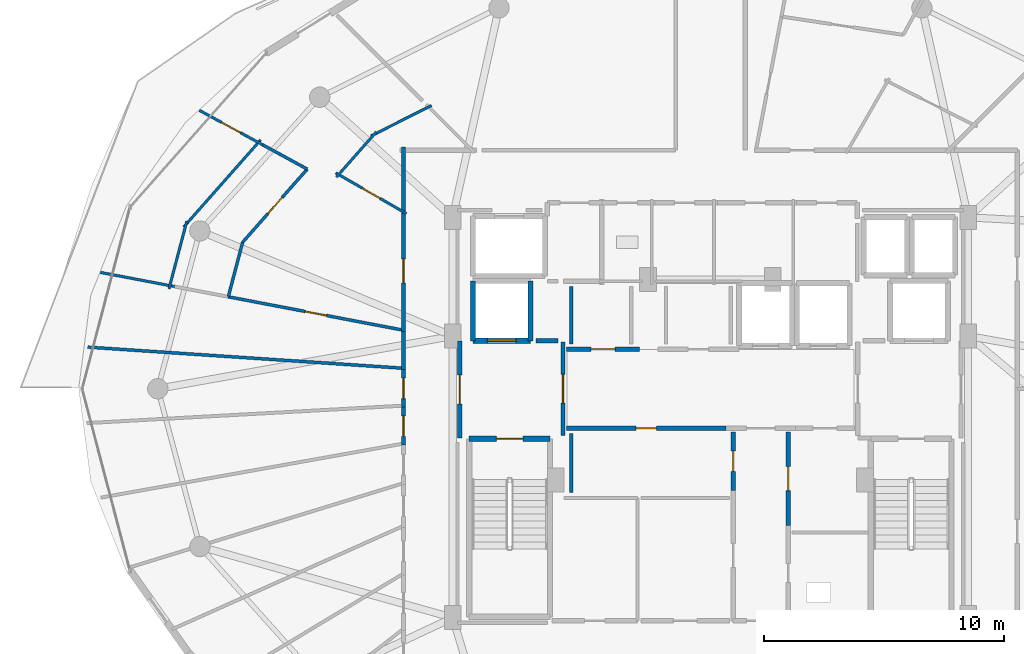
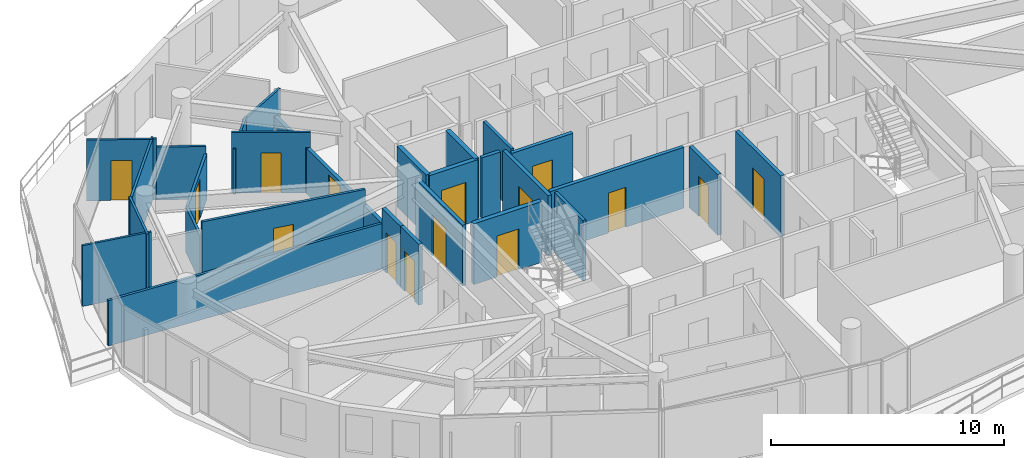
# One storey, part 18 of 25: 30 walls, 15 doors, 15 openings.
"""IFC4 building model written with IfcOpenShell, lengths in metres."""

from ifc_helpers import new_model, si_unit, direction, frame, frame_2d, origin, place, context, subcontext, project, spatial, rectangle, extrude, material, layer, layer_set, type_object, element, fill, save


model = new_model("IFC4")

# Units and contexts
model_context = context("Model", 3, precision=1e-05, world=origin(), true_north=direction((0.0, 1.0)))
body_context = subcontext(model_context, "Body", "Model", "MODEL_VIEW")
ifc_project = project(units=[si_unit("LENGTHUNIT", "METRE"), si_unit("AREAUNIT", "SQUARE_METRE"), si_unit("VOLUMEUNIT", "CUBIC_METRE"), si_unit("PLANEANGLEUNIT", "RADIAN"), si_unit("MASSUNIT", "GRAM", prefix="KILO")], contexts=[model_context])

# Site, building, storey
site_placement = place(None, origin())
site = spatial("IfcSite", under=ifc_project, at=site_placement, CompositionType="ELEMENT")
building_placement = place(site_placement, origin())
building = spatial("IfcBuilding", under=site, at=building_placement, Name="Vorneva Point Tower", CompositionType="ELEMENT")
storey_placement = place(building_placement, frame((0.0, 0.0, 276.85009765625)))
storey = spatial("IfcBuildingStorey", under=building, at=storey_placement, Name="L75", CompositionType="ELEMENT", Elevation=276.85009765625)

# Wall, opening, door
ifc_material_1 = material(Name="Concrete B60 (C50/60)", Category="concrete")
ifc_layer_1 = layer(ifc_material_1, 0.35009765625)
ifc_layer_set_1 = layer_set([ifc_layer_1], Name="Concrete B60 (C50/60)")
wall_type_1 = type_object("IfcWallType", Name="WL-CORE-350", PredefinedType="SHEAR", material=ifc_layer_set_1)
wall_1_placement = place(storey_placement, frame((28.10009765625, 28.0, 0.0), z_axis=(0.0, 0.0, 1.0), x_axis=(1.0, 0.0, 0.0)))
wall_1 = element("IfcWall", 1, at=wall_1_placement, inside=storey, type_object=wall_type_1, Name="L75 Lift FFL1 Shaft Wall -Y", PredefinedType="SHEAR", context=body_context, shape_type="SweptSolid", body=[
    extrude(rectangle(XDim=2.39990234375, YDim=0.219970703125, at=frame_2d((1.199951171875, 0.0))), origin(), (0.0, 0.0, 1.0), 3.18994140625),
])
opening_1_placement = place(wall_1_placement, frame((0.60009765625, 0.0, 0.0)))
opening_1 = element("IfcOpeningElement", 2, at=opening_1_placement, cuts=wall_1, Name="Opening LD-02", PredefinedType="OPENING", context=body_context, shape_type="SweptSolid", body=[
    extrude(rectangle(XDim=1.199951171875, YDim=2.199951171875, at=frame_2d((0.60009765625, 1.10009765625))), frame((0.0, 0.125, 0.0), z_axis=(0.0, -1.0, 0.0), x_axis=(1.0, 0.0, 0.0)), (0.0, 0.0, 1.0), 0.249755859375),
])
ifc_material_2 = material(Name="Brushed stainless steel S304", Category="steel")
door_type_1 = type_object("IfcDoorType", Name="LD-FIRE-1200", OperationType="SLIDING_TO_LEFT", PredefinedType="DOOR", material=ifc_material_2)
door_1_placement = place(opening_1_placement, origin())
door_1 = element("IfcDoor", 3, at=door_1_placement, inside=storey, type_object=door_type_1, Name="L75 Lift FFL1 Sliding Landing Door", OperationType="SLIDING_TO_LEFT", OverallHeight=2.199951171875, OverallWidth=1.199951171875, PredefinedType="DOOR", context=body_context, shape_type="SweptSolid", body=[
    extrude(rectangle(XDim=1.199951171875, YDim=2.199951171875, at=frame_2d((0.60009765625, 1.10009765625))), frame((0.0, 0.02490234375, 0.0), z_axis=(0.0, -1.0, 0.0), x_axis=(1.0, 0.0, 0.0)), (0.0, 0.0, 1.0), 0.050048828125),
])
fill(opening_1, door_1)

# Walls
for number, where, z_axis, x_axis, name in (
    (4, (30.5, 28.0, 0.0), (0.0, 0.0, 1.0), (0.0, 1.0, 0.0), "L75 Lift FFL1 Shaft Wall +X"),
    (5, (28.10009765625, 30.5, 0.0), (0.0, 0.0, 1.0), (0.0, -1.0, 0.0), "L75 Lift FFL1 Shaft Wall -X"),
):
    element("IfcWall", number, at=place(storey_placement, frame(where, z_axis=z_axis, x_axis=x_axis)), inside=storey, type_object=wall_type_1, Name=name, PredefinedType="SHEAR", context=body_context, shape_type="SweptSolid", body=[
        extrude(rectangle(XDim=2.5, YDim=0.219970703125, at=frame_2d((1.25, 0.0))), origin(), (0.0, 0.0, 1.0), 3.18994140625),
    ])

# Wall, opening, door
ifc_material_3 = material(Name="Fire-rated acoustic gypsum stud partition", Category="gypsum")
ifc_layer_2 = layer(ifc_material_3, 0.110107421875)
ifc_layer_set_2 = layer_set([ifc_layer_2], Name="Fire-rated acoustic gypsum stud partition")
wall_type_2 = type_object("IfcWallType", Name="WL-PART-110", PredefinedType="PARTITIONING", material=ifc_layer_set_2)
wall_2_placement = place(storey_placement, frame((25.3212890625, 33.30615234375, 0.0), z_axis=(0.0, 0.0, 1.0), x_axis=(-0.866517217622, 0.49914718427, 0.0)))
wall_2 = element("IfcWall", 6, at=wall_2_placement, inside=storey, type_object=wall_type_2, Name="L75 Interior Partition 075", PredefinedType="PARTITIONING", context=body_context, shape_type="SweptSolid", body=[
    extrude(rectangle(XDim=3.4052734375, YDim=0.110107421875, at=frame_2d((1.70263671875, 0.0))), origin(), (0.0, 0.0, 1.0), 3.18994140625),
])
opening_2_placement = place(wall_2_placement, frame((1.277587890625, 0.0, 0.0)))
opening_2 = element("IfcOpeningElement", 7, at=opening_2_placement, cuts=wall_2, Name="Opening ID-02", PredefinedType="OPENING", context=body_context, shape_type="SweptSolid", body=[
    extrude(rectangle(XDim=0.85009765625, YDim=2.10009765625, at=frame_2d((0.425048828125, 1.050048828125))), frame((0.0, 0.06982421875, 0.0), z_axis=(0.0, -1.0, 0.0), x_axis=(1.0, 0.0, 0.0)), (0.0, 0.0, 1.0), 0.139892578125),
])
ifc_material_4 = material(Name="Engineered oak fire-rated door leaf", Category="wood")
door_type_2 = type_object("IfcDoorType", Name="DR-BATH-850", OperationType="NOTDEFINED", PredefinedType="DOOR", material=ifc_material_4)
door_2_placement = place(opening_2_placement, origin())
door_2 = element("IfcDoor", 8, at=door_2_placement, inside=storey, type_object=door_type_2, Name="L75 Door Living and Dining Room L75-02 / Bathroom L75-02", OperationType="SINGLE_SWING_LEFT", OverallHeight=2.10009765625, OverallWidth=0.85009765625, PredefinedType="DOOR", context=body_context, shape_type="SweptSolid", body=[
    extrude(rectangle(XDim=0.85009765625, YDim=2.10009765625, at=frame_2d((0.425048828125, 1.050048828125))), frame((0.0, 0.02490234375, 0.0), z_axis=(0.0, -1.0, 0.0), x_axis=(1.0, 0.0, 0.0)), (0.0, 0.0, 1.0), 0.050048828125),
])
fill(opening_2, door_2)

# Walls
wall_3_placement = place(storey_placement, frame((22.3994140625, 34.8310546875, 0.0), z_axis=(0.0, 0.0, 1.0), x_axis=(0.662292938072, 0.749244996099, 0.0)))
element("IfcWall", 9, at=wall_3_placement, inside=storey, type_object=wall_type_2, Name="L75 Interior Partition 076", PredefinedType="PARTITIONING", context=body_context, shape_type="SweptSolid", body=[
    extrude(rectangle(XDim=2.512939453125, YDim=0.110107421875, at=frame_2d((1.25634765625, 0.0))), origin(), (0.0, 0.0, 1.0), 2.3818359375),
])
wall_4_placement = place(storey_placement, frame((23.845947265625, 36.5458984375, 0.0), z_axis=(0.0, 0.0, 1.0), x_axis=(0.892553076465, 0.450942352959, 0.0)))
element("IfcWall", 10, at=wall_4_placement, inside=storey, type_object=wall_type_2, Name="L75 Interior Partition 077", PredefinedType="PARTITIONING", context=body_context, shape_type="SweptSolid", body=[
    extrude(rectangle(XDim=2.82568359375, YDim=0.110107421875, at=frame_2d((1.412841796875, 0.0))), origin(), (0.0, 0.0, 1.0), 2.3818359375),
])
wall_5_placement = place(storey_placement, frame((15.6474609375, 30.264892578125, 0.0), z_axis=(0.0, 0.0, 1.0), x_axis=(-0.982326348308, 0.187176241599, 0.0)))
element("IfcWall", 11, at=wall_5_placement, inside=storey, type_object=wall_type_2, Name="L75 Interior Partition 079", PredefinedType="PARTITIONING", context=body_context, shape_type="SweptSolid", body=[
    extrude(rectangle(XDim=3.148681640625, YDim=0.110107421875, at=frame_2d((1.57421875, 0.0))), origin(), (0.0, 0.0, 1.0), 3.18994140625),
])

# Wall, opening, door
wall_6_placement = place(storey_placement, frame((16.68408203125, 37.614013671875, 0.0), z_axis=(0.0, 0.0, 1.0), x_axis=(0.878218537438, -0.478259553486, 0.0)))
wall_6 = element("IfcWall", 12, at=wall_6_placement, inside=storey, type_object=wall_type_2, Name="L75 Interior Partition 080", PredefinedType="PARTITIONING", context=body_context, shape_type="SweptSolid", body=[
    extrude(rectangle(XDim=3.002685546875, YDim=0.110107421875, at=frame_2d((1.50146484375, 0.0))), origin(), (0.0, 0.0, 1.0), 3.18994140625),
])
opening_3_placement = place(wall_6_placement, frame((1.05126953125, 0.0, 0.0)))
opening_3 = element("IfcOpeningElement", 13, at=opening_3_placement, cuts=wall_6, Name="Opening ID-01", PredefinedType="OPENING", context=body_context, shape_type="SweptSolid", body=[
    extrude(rectangle(XDim=0.89990234375, YDim=2.10009765625, at=frame_2d((0.449951171875, 1.050048828125))), frame((0.0, 0.06982421875, 0.0), z_axis=(0.0, -1.0, 0.0), x_axis=(1.0, 0.0, 0.0)), (0.0, 0.0, 1.0), 0.139892578125),
])
door_type_3 = type_object("IfcDoorType", Name="DR-ROOM-900", OperationType="NOTDEFINED", PredefinedType="DOOR", material=ifc_material_4)
door_3_placement = place(opening_3_placement, origin())
door_3 = element("IfcDoor", 14, at=door_3_placement, inside=storey, type_object=door_type_3, Name="L75 Door Living and Dining Room L75-02 / Kitchen L75-02", OperationType="SINGLE_SWING_LEFT", OverallHeight=2.10009765625, OverallWidth=0.89990234375, PredefinedType="DOOR", context=body_context, shape_type="SweptSolid", body=[
    extrude(rectangle(XDim=0.89990234375, YDim=2.10009765625, at=frame_2d((0.449951171875, 1.050048828125))), frame((0.0, 0.02490234375, 0.0), z_axis=(0.0, -1.0, 0.0), x_axis=(1.0, 0.0, 0.0)), (0.0, 0.0, 1.0), 0.050048828125),
])
fill(opening_3, door_3)

# Walls
wall_7_placement = place(storey_placement, frame((15.415283203125, 30.16650390625, 0.0), z_axis=(0.0, 0.0, 1.0), x_axis=(0.254760975284, 0.967004056596, 0.0)))
element("IfcWall", 15, at=wall_7_placement, inside=storey, type_object=wall_type_2, Name="L75 Interior Partition 086", PredefinedType="PARTITIONING", context=body_context, shape_type="SweptSolid", body=[
    extrude(rectangle(XDim=2.91796875, YDim=0.110107421875, at=frame_2d((1.458984375, 0.0))), origin(), (0.0, 0.0, 1.0), 3.18994140625),
])
wall_8_placement = place(storey_placement, frame((16.0302734375, 32.748046875, 0.0), z_axis=(0.0, 0.0, 1.0), x_axis=(0.662164889187, 0.749358165051, 0.0)))
element("IfcWall", 16, at=wall_8_placement, inside=storey, type_object=wall_type_2, Name="L75 Interior Partition 087", PredefinedType="PARTITIONING", context=body_context, shape_type="SweptSolid", body=[
    extrude(rectangle(XDim=4.843994140625, YDim=0.110107421875, at=frame_2d((2.421875, 0.0))), origin(), (0.0, 0.0, 1.0), 3.18994140625),
])

# Wall, opening, door
ifc_layer_3 = layer(ifc_material_3, 0.125)
ifc_layer_set_3 = layer_set([ifc_layer_3], Name="Fire-rated acoustic gypsum stud partition")
wall_type_3 = type_object("IfcWallType", Name="WL-PART-125", PredefinedType="PARTITIONING", material=ifc_layer_set_3)
wall_9_placement = place(storey_placement, frame((21.18310546875, 35.1630859375, 0.0), z_axis=(0.0, 0.0, 1.0), x_axis=(-0.662034108956, -0.74947370773, 0.0)))
wall_9 = element("IfcWall", 17, at=wall_9_placement, inside=storey, type_object=wall_type_3, Name="L75 Interior Partition 081", PredefinedType="PARTITIONING", context=body_context, shape_type="SweptSolid", body=[
    extrude(rectangle(XDim=4.07080078125, YDim=0.125, at=frame_2d((2.035400390625, 0.0))), origin(), (0.0, 0.0, 1.0), 2.3818359375),
])
opening_4_placement = place(wall_9_placement, frame((1.58544921875, 0.0, 0.0)))
opening_4 = element("IfcOpeningElement", 18, at=opening_4_placement, cuts=wall_9, Name="Opening ID-01", PredefinedType="OPENING", context=body_context, shape_type="SweptSolid", body=[
    extrude(rectangle(XDim=0.89990234375, YDim=2.10009765625, at=frame_2d((0.449951171875, 1.050048828125))), frame((0.0, 0.077392578125, 0.0), z_axis=(0.0, -1.0, 0.0), x_axis=(1.0, 0.0, 0.0)), (0.0, 0.0, 1.0), 0.15478515625),
])
door_4_placement = place(opening_4_placement, origin())
door_4 = element("IfcDoor", 19, at=door_4_placement, inside=storey, type_object=door_type_3, Name="L75 Door Living and Dining Room L75-02 / Study Room L75-02", OperationType="SINGLE_SWING_RIGHT", OverallHeight=2.10009765625, OverallWidth=0.89990234375, PredefinedType="DOOR", context=body_context, shape_type="SweptSolid", body=[
    extrude(rectangle(XDim=0.89990234375, YDim=2.10009765625, at=frame_2d((0.449951171875, 1.050048828125))), frame((0.0, 0.02490234375, 0.0), z_axis=(0.0, -1.0, 0.0), x_axis=(1.0, 0.0, 0.0)), (0.0, 0.0, 1.0), 0.050048828125),
])
fill(opening_4, door_4)

# Walls
wall_10_placement = place(storey_placement, frame((18.488037109375, 32.112060546875, 0.0), z_axis=(0.0, 0.0, 1.0), x_axis=(-0.254651639247, -0.967032854989, 0.0)))
element("IfcWall", 20, at=wall_10_placement, inside=storey, type_object=wall_type_3, Name="L75 Interior Partition 082", PredefinedType="PARTITIONING", context=body_context, shape_type="SweptSolid", body=[
    extrude(rectangle(XDim=2.352783203125, YDim=0.125, at=frame_2d((1.17626953125, 0.0))), origin(), (0.0, 0.0, 1.0), 2.3818359375),
])
wall_11_placement = place(storey_placement, frame((19.32080078125, 36.177490234375, 0.0), z_axis=(0.0, 0.0, 1.0), x_axis=(0.878172605495, -0.47834388776, 0.0)))
element("IfcWall", 21, at=wall_11_placement, inside=storey, type_object=wall_type_3, Name="L75 Interior Partition 084", PredefinedType="PARTITIONING", context=body_context, shape_type="SweptSolid", body=[
    extrude(rectangle(XDim=2.12060546875, YDim=0.125, at=frame_2d((1.060302734375, 0.0))), origin(), (0.0, 0.0, 1.0), 2.77392578125),
])

# Wall, opening, door
wall_12_placement = place(storey_placement, frame((17.888916015625, 29.836669921875, 0.0), z_axis=(0.0, 0.0, 1.0), x_axis=(0.982284262094, -0.187396980877, 0.0)))
wall_12 = element("IfcWall", 22, at=wall_12_placement, inside=storey, type_object=wall_type_3, Name="L75 Interior Partition 085", PredefinedType="PARTITIONING", context=body_context, shape_type="SweptSolid", body=[
    extrude(rectangle(XDim=7.44287109375, YDim=0.125, at=frame_2d((3.721435546875, 0.0))), origin(), (0.0, 0.0, 1.0), 3.18994140625),
])
opening_5_placement = place(wall_12_placement, frame((3.271484375, 0.0, 0.0)))
opening_5 = element("IfcOpeningElement", 23, at=opening_5_placement, cuts=wall_12, Name="Opening ID-01", PredefinedType="OPENING", context=body_context, shape_type="SweptSolid", body=[
    extrude(rectangle(XDim=0.89990234375, YDim=2.10009765625, at=frame_2d((0.449951171875, 1.050048828125))), frame((0.0, 0.077392578125, 0.0), z_axis=(0.0, -1.0, 0.0), x_axis=(1.0, 0.0, 0.0)), (0.0, 0.0, 1.0), 0.15478515625),
])
door_5_placement = place(opening_5_placement, origin())
door_5 = element("IfcDoor", 24, at=door_5_placement, inside=storey, type_object=door_type_3, Name="L75 Door Living and Dining Room L75-02 / Master Bedroom L75-02.1", OperationType="SINGLE_SWING_LEFT", OverallHeight=2.10009765625, OverallWidth=0.89990234375, PredefinedType="DOOR", context=body_context, shape_type="SweptSolid", body=[
    extrude(rectangle(XDim=0.89990234375, YDim=2.10009765625, at=frame_2d((0.449951171875, 1.050048828125))), frame((0.0, 0.02490234375, 0.0), z_axis=(0.0, -1.0, 0.0), x_axis=(1.0, 0.0, 0.0)), (0.0, 0.0, 1.0), 0.050048828125),
])
fill(opening_5, door_5)

# Walls
wall_13_placement = place(storey_placement, frame((12.027099609375, 27.737060546875, 0.0), z_axis=(0.0, 0.0, 1.0), x_axis=(0.997770487114, -0.066738707243, 0.0)))
element("IfcWall", 25, at=wall_13_placement, inside=storey, type_object=wall_type_3, Name="L75 Interior Partition 088", PredefinedType="PARTITIONING", context=body_context, shape_type="SweptSolid", body=[
    extrude(rectangle(XDim=13.202392578125, YDim=0.125, at=frame_2d((6.60107421875, 0.0))), origin(), (0.0, 0.0, 1.0), 2.3818359375),
])
ifc_layer_4 = layer(ifc_material_3, 0.139892578125)
ifc_layer_set_4 = layer_set([ifc_layer_4], Name="Fire-rated acoustic gypsum stud partition")
wall_type_4 = type_object("IfcWallType", Name="WL-PART-140", PredefinedType="PARTITIONING", material=ifc_layer_set_4)
wall_14_placement = place(storey_placement, frame((32.199951171875, 30.260009765625, 0.0), z_axis=(0.0, 0.0, 1.0), x_axis=(0.0, -1.0, 0.0)))
element("IfcWall", 26, at=wall_14_placement, inside=storey, type_object=wall_type_4, Name="L75 Interior Closure Partition 113", PredefinedType="PARTITIONING", context=body_context, shape_type="SweptSolid", body=[
    extrude(rectangle(XDim=2.389892578125, YDim=0.139892578125, at=frame_2d((1.19482421875, 0.0))), origin(), (0.0, 0.0, 1.0), 3.18994140625),
])
wall_15_placement = place(storey_placement, frame((32.199951171875, 24.1298828125, 0.0), z_axis=(0.0, 0.0, 1.0), x_axis=(0.0, -1.0, 0.0)))
element("IfcWall", 27, at=wall_15_placement, inside=storey, type_object=wall_type_4, Name="L75 Interior Closure Partition 117", PredefinedType="PARTITIONING", context=body_context, shape_type="SweptSolid", body=[
    extrude(rectangle(XDim=2.4599609375, YDim=0.139892578125, at=frame_2d((1.22998046875, 0.0))), origin(), (0.0, 0.0, 1.0), 3.18994140625),
])

# Wall, opening, door
ifc_material_5 = material(Name="Autoclaved aerated concrete blockwork", Category="masonry")
ifc_layer_5 = layer(ifc_material_5, 0.179931640625)
ifc_layer_set_5 = layer_set([ifc_layer_5], Name="Autoclaved aerated concrete blockwork")
wall_type_5 = type_object("IfcWallType", Name="WL-PART-180", PredefinedType="PARTITIONING", material=ifc_layer_set_5)
wall_16_placement = place(storey_placement, frame((31.85009765625, 24.044921875, 0.0), z_axis=(0.0, 0.0, 1.0), x_axis=(0.0, 1.0, 0.0)))
wall_16 = element("IfcWall", 28, at=wall_16_placement, inside=storey, type_object=wall_type_5, Name="L75 Interior Partition 001", PredefinedType="PARTITIONING", context=body_context, shape_type="SweptSolid", body=[
    extrude(rectangle(XDim=3.91015625, YDim=0.179931640625, at=frame_2d((1.955078125, 0.0))), origin(), (0.0, 0.0, 1.0), 3.18994140625),
])
opening_6_placement = place(wall_16_placement, frame((1.35498046875, 0.0, 0.0)))
opening_6 = element("IfcOpeningElement", 29, at=opening_6_placement, cuts=wall_16, Name="Opening FD-02", PredefinedType="OPENING", context=body_context, shape_type="SweptSolid", body=[
    extrude(rectangle(XDim=1.199951171875, YDim=2.14990234375, at=frame_2d((0.60009765625, 1.074951171875))), frame((0.0, 0.10498046875, 0.0), z_axis=(0.0, -1.0, 0.0), x_axis=(1.0, 0.0, 0.0)), (0.0, 0.0, 1.0), 0.209716796875),
])
ifc_material_6 = material(Name="Fire-rated powder-coated steel", Category="steel")
door_type_4 = type_object("IfcDoorType", Name="DR-FFL-1200", OperationType="NOTDEFINED", PredefinedType="DOOR", material=ifc_material_6)
door_6_placement = place(opening_6_placement, origin())
door_6 = element("IfcDoor", 30, at=door_6_placement, inside=storey, type_object=door_type_4, Name="L75 Door West Firefighting Lobby / Central Lift Lobby", OperationType="SINGLE_SWING_RIGHT", OverallHeight=2.14990234375, OverallWidth=1.199951171875, PredefinedType="DOOR", context=body_context, shape_type="SweptSolid", body=[
    extrude(rectangle(XDim=1.199951171875, YDim=2.14990234375, at=frame_2d((0.60009765625, 1.074951171875))), frame((0.0, 0.02490234375, 0.0), z_axis=(0.0, -1.0, 0.0), x_axis=(1.0, 0.0, 0.0)), (0.0, 0.0, 1.0), 0.050048828125),
])
fill(opening_6, door_6)

wall_17_placement = place(storey_placement, frame((27.550048828125, 28.0, 0.0), z_axis=(0.0, 0.0, 1.0), x_axis=(0.0, -1.0, 0.0)))
wall_17 = element("IfcWall", 31, at=wall_17_placement, inside=storey, type_object=wall_type_5, Name="L75 Interior Partition 002", PredefinedType="PARTITIONING", context=body_context, shape_type="SweptSolid", body=[
    extrude(rectangle(XDim=4.050048828125, YDim=0.179931640625, at=frame_2d((2.02490234375, 0.0))), origin(), (0.0, 0.0, 1.0), 3.18994140625),
])
opening_7_placement = place(wall_17_placement, frame((1.425048828125, 0.0, 0.0)))
opening_7 = element("IfcOpeningElement", 32, at=opening_7_placement, cuts=wall_17, Name="Opening FD-02", PredefinedType="OPENING", context=body_context, shape_type="SweptSolid", body=[
    extrude(rectangle(XDim=1.199951171875, YDim=2.14990234375, at=frame_2d((0.60009765625, 1.074951171875))), frame((0.0, 0.10498046875, 0.0), z_axis=(0.0, -1.0, 0.0), x_axis=(1.0, 0.0, 0.0)), (0.0, 0.0, 1.0), 0.209716796875),
])
door_7_placement = place(opening_7_placement, origin())
door_7 = element("IfcDoor", 33, at=door_7_placement, inside=storey, type_object=door_type_4, Name="L75 Door West Firefighting Lobby / L75 Circulation Corridor", OperationType="SINGLE_SWING_RIGHT", OverallHeight=2.14990234375, OverallWidth=1.199951171875, PredefinedType="DOOR", context=body_context, shape_type="SweptSolid", body=[
    extrude(rectangle(XDim=1.199951171875, YDim=2.14990234375, at=frame_2d((0.60009765625, 1.074951171875))), frame((0.0, 0.02490234375, 0.0), z_axis=(0.0, -1.0, 0.0), x_axis=(1.0, 0.0, 0.0)), (0.0, 0.0, 1.0), 0.050048828125),
])
fill(opening_7, door_7)

wall_18_placement = place(storey_placement, frame((35.0400390625, 27.64990234375, 0.0), z_axis=(0.0, 0.0, 1.0), x_axis=(-1.0, 0.0, 0.0)))
wall_18 = element("IfcWall", 34, at=wall_18_placement, inside=storey, type_object=wall_type_5, Name="L75 Interior Partition 012", PredefinedType="PARTITIONING", context=body_context, shape_type="SweptSolid", body=[
    extrude(rectangle(XDim=3.0400390625, YDim=0.179931640625, at=frame_2d((1.52001953125, 0.0))), origin(), (0.0, 0.0, 1.0), 3.18994140625),
])
opening_8_placement = place(wall_18_placement, frame((1.02001953125, 0.0, 0.0)))
opening_8 = element("IfcOpeningElement", 35, at=opening_8_placement, cuts=wall_18, Name="Opening UD-01", PredefinedType="OPENING", context=body_context, shape_type="SweptSolid", body=[
    extrude(rectangle(XDim=1.0, YDim=2.14990234375, at=frame_2d((0.5, 1.074951171875))), frame((0.0, 0.10498046875, 0.0), z_axis=(0.0, -1.0, 0.0), x_axis=(1.0, 0.0, 0.0)), (0.0, 0.0, 1.0), 0.209716796875),
])
door_type_5 = type_object("IfcDoorType", Name="DR-UNIT-1000", OperationType="NOTDEFINED", PredefinedType="DOOR", material=ifc_material_4)
door_8_placement = place(opening_8_placement, origin())
door_8 = element("IfcDoor", 36, at=door_8_placement, inside=storey, type_object=door_type_5, Name="L75 Door Central Lift Lobby / Reclaimed Core Lounge", OperationType="SINGLE_SWING_LEFT", OverallHeight=2.14990234375, OverallWidth=1.0, PredefinedType="DOOR", context=body_context, shape_type="SweptSolid", body=[
    extrude(rectangle(XDim=1.0, YDim=2.14990234375, at=frame_2d((0.5, 1.074951171875))), frame((0.0, 0.02490234375, 0.0), z_axis=(0.0, -1.0, 0.0), x_axis=(1.0, 0.0, 0.0)), (0.0, 0.0, 1.0), 0.050048828125),
])
fill(opening_8, door_8)

wall_19_placement = place(storey_placement, frame((32.0, 24.35009765625, 0.0), z_axis=(0.0, 0.0, 1.0), x_axis=(1.0, 0.0, 0.0)))
wall_19 = element("IfcWall", 37, at=wall_19_placement, inside=storey, type_object=wall_type_5, Name="L75 Interior Partition 014", PredefinedType="PARTITIONING", context=body_context, shape_type="SweptSolid", body=[
    extrude(rectangle(XDim=6.64501953125, YDim=0.179931640625, at=frame_2d((3.322509765625, 0.0))), origin(), (0.0, 0.0, 1.0), 3.18994140625),
])
opening_9_placement = place(wall_19_placement, frame((2.8974609375, 0.0, 0.0)))
opening_9 = element("IfcOpeningElement", 38, at=opening_9_placement, cuts=wall_19, Name="Opening ID-02", PredefinedType="OPENING", context=body_context, shape_type="SweptSolid", body=[
    extrude(rectangle(XDim=0.85009765625, YDim=2.10009765625, at=frame_2d((0.425048828125, 1.050048828125))), frame((0.0, 0.10498046875, 0.0), z_axis=(0.0, -1.0, 0.0), x_axis=(1.0, 0.0, 0.0)), (0.0, 0.0, 1.0), 0.209716796875),
])
door_9_placement = place(opening_9_placement, origin())
door_9 = element("IfcDoor", 39, at=door_9_placement, inside=storey, type_object=door_type_2, Name="L75 Door Central Lift Lobby / Reclaimed High-Zone Wine Vault", OperationType="SINGLE_SWING_LEFT", OverallHeight=2.10009765625, OverallWidth=0.85009765625, PredefinedType="DOOR", context=body_context, shape_type="SweptSolid", body=[
    extrude(rectangle(XDim=0.85009765625, YDim=2.10009765625, at=frame_2d((0.425048828125, 1.050048828125))), frame((0.0, 0.02490234375, 0.0), z_axis=(0.0, -1.0, 0.0), x_axis=(1.0, 0.0, 0.0)), (0.0, 0.0, 1.0), 0.050048828125),
])
fill(opening_9, door_9)

wall_20_placement = place(storey_placement, frame((41.25, 20.304931640625, 0.0), z_axis=(0.0, 0.0, 1.0), x_axis=(0.0, 1.0, 0.0)))
wall_20 = element("IfcWall", 40, at=wall_20_placement, inside=storey, type_object=wall_type_5, Name="L75 Interior Partition 016", PredefinedType="PARTITIONING", context=body_context, shape_type="SweptSolid", body=[
    extrude(rectangle(XDim=3.89501953125, YDim=0.179931640625, at=frame_2d((1.947509765625, 0.0))), origin(), (0.0, 0.0, 1.0), 3.18994140625),
])
opening_10_placement = place(wall_20_placement, frame((1.447509765625, 0.0, 0.0)))
opening_10 = element("IfcOpeningElement", 41, at=opening_10_placement, cuts=wall_20, Name="Opening UD-01", PredefinedType="OPENING", context=body_context, shape_type="SweptSolid", body=[
    extrude(rectangle(XDim=1.0, YDim=2.14990234375, at=frame_2d((0.5, 1.074951171875))), frame((0.0, 0.10498046875, 0.0), z_axis=(0.0, -1.0, 0.0), x_axis=(1.0, 0.0, 0.0)), (0.0, 0.0, 1.0), 0.209716796875),
])
door_10_placement = place(opening_10_placement, origin())
door_10 = element("IfcDoor", 42, at=door_10_placement, inside=storey, type_object=door_type_5, Name="L75 Door Core Service Lobby / Floor Management Office", OperationType="SINGLE_SWING_LEFT", OverallHeight=2.14990234375, OverallWidth=1.0, PredefinedType="DOOR", context=body_context, shape_type="SweptSolid", body=[
    extrude(rectangle(XDim=1.0, YDim=2.14990234375, at=frame_2d((0.5, 1.074951171875))), frame((0.0, 0.02490234375, 0.0), z_axis=(0.0, -1.0, 0.0), x_axis=(1.0, 0.0, 0.0)), (0.0, 0.0, 1.0), 0.050048828125),
])
fill(opening_10, door_10)

wall_21_placement = place(storey_placement, frame((38.949951171875, 24.199951171875, 0.0), z_axis=(0.0, 0.0, 1.0), x_axis=(0.0, -1.0, 0.0)))
wall_21 = element("IfcWall", 43, at=wall_21_placement, inside=storey, type_object=wall_type_5, Name="L75 Interior Partition 018", PredefinedType="PARTITIONING", context=body_context, shape_type="SweptSolid", body=[
    extrude(rectangle(XDim=2.445068359375, YDim=0.179931640625, at=frame_2d((1.22265625, 0.0))), origin(), (0.0, 0.0, 1.0), 3.18994140625),
])
opening_11_placement = place(wall_21_placement, frame((0.797607421875, 0.0, 0.0)))
opening_11 = element("IfcOpeningElement", 44, at=opening_11_placement, cuts=wall_21, Name="Opening ID-02", PredefinedType="OPENING", context=body_context, shape_type="SweptSolid", body=[
    extrude(rectangle(XDim=0.85009765625, YDim=2.10009765625, at=frame_2d((0.425048828125, 1.050048828125))), frame((0.0, 0.10498046875, 0.0), z_axis=(0.0, -1.0, 0.0), x_axis=(1.0, 0.0, 0.0)), (0.0, 0.0, 1.0), 0.209716796875),
])
door_11_placement = place(opening_11_placement, origin())
door_11 = element("IfcDoor", 45, at=door_11_placement, inside=storey, type_object=door_type_2, Name="L75 Door Core Service Lobby / Reclaimed High-Zone Wine Vault", OperationType="SINGLE_SWING_LEFT", OverallHeight=2.10009765625, OverallWidth=0.85009765625, PredefinedType="DOOR", context=body_context, shape_type="SweptSolid", body=[
    extrude(rectangle(XDim=0.85009765625, YDim=2.10009765625, at=frame_2d((0.425048828125, 1.050048828125))), frame((0.0, 0.02490234375, 0.0), z_axis=(0.0, -1.0, 0.0), x_axis=(1.0, 0.0, 0.0)), (0.0, 0.0, 1.0), 0.050048828125),
])
fill(opening_11, door_11)

wall_22_placement = place(storey_placement, frame((25.199951171875, 33.445068359375, 0.0), z_axis=(0.0, 0.0, 1.0), x_axis=(0.0, -1.0, 0.0)))
wall_22 = element("IfcWall", 46, at=wall_22_placement, inside=storey, type_object=wall_type_5, Name="L75 Interior Partition 042", PredefinedType="PARTITIONING", context=body_context, shape_type="SweptSolid", body=[
    extrude(rectangle(XDim=5.06298828125, YDim=0.179931640625, at=frame_2d((2.531494140625, 0.0))), origin(), (0.0, 0.0, 1.0), 2.3818359375),
])
opening_12_placement = place(wall_22_placement, frame((2.031494140625, 0.0, 0.0)))
opening_12 = element("IfcOpeningElement", 47, at=opening_12_placement, cuts=wall_22, Name="Opening UD-01", PredefinedType="OPENING", context=body_context, shape_type="SweptSolid", body=[
    extrude(rectangle(XDim=1.0, YDim=2.14990234375, at=frame_2d((0.5, 1.074951171875))), frame((0.0, 0.10498046875, 0.0), z_axis=(0.0, -1.0, 0.0), x_axis=(1.0, 0.0, 0.0)), (0.0, 0.0, 1.0), 0.209716796875),
])
door_12_placement = place(opening_12_placement, origin())
door_12 = element("IfcDoor", 48, at=door_12_placement, inside=storey, type_object=door_type_5, Name="L75 Door L75 Circulation Corridor / Living and Dining Room L75-02", OperationType="SINGLE_SWING_LEFT", OverallHeight=2.14990234375, OverallWidth=1.0, PredefinedType="DOOR", context=body_context, shape_type="SweptSolid", body=[
    extrude(rectangle(XDim=1.0, YDim=2.14990234375, at=frame_2d((0.5, 1.074951171875))), frame((0.0, 0.02490234375, 0.0), z_axis=(0.0, -1.0, 0.0), x_axis=(1.0, 0.0, 0.0)), (0.0, 0.0, 1.0), 0.050048828125),
])
fill(opening_12, door_12)

# Walls
wall_23_placement = place(storey_placement, frame((25.199951171875, 36.090087890625, 0.0), z_axis=(0.0, 0.0, 1.0), x_axis=(0.0, -1.0, 0.0)))
element("IfcWall", 49, at=wall_23_placement, inside=storey, type_object=wall_type_5, Name="L75 Interior Partition 044", PredefinedType="PARTITIONING", context=body_context, shape_type="SweptSolid", body=[
    extrude(rectangle(XDim=2.78515625, YDim=0.179931640625, at=frame_2d((1.392578125, 0.0))), origin(), (0.0, 0.0, 1.0), 2.3818359375),
])
wall_24_placement = place(storey_placement, frame((25.199951171875, 28.382080078125, 0.0), z_axis=(0.0, 0.0, 1.0), x_axis=(0.0, -1.0, 0.0)))
element("IfcWall", 50, at=wall_24_placement, inside=storey, type_object=wall_type_5, Name="L75 Interior Partition 045", PredefinedType="PARTITIONING", context=body_context, shape_type="SweptSolid", body=[
    extrude(rectangle(XDim=1.586181640625, YDim=0.179931640625, at=frame_2d((0.79296875, 0.0))), origin(), (0.0, 0.0, 1.0), 2.3818359375),
])

# Wall, opening, door
wall_25_placement = place(storey_placement, frame((25.199951171875, 26.7958984375, 0.0), z_axis=(0.0, 0.0, 1.0), x_axis=(0.0, -1.0, 0.0)))
wall_25 = element("IfcWall", 51, at=wall_25_placement, inside=storey, type_object=wall_type_5, Name="L75 Interior Partition 046", PredefinedType="PARTITIONING", context=body_context, shape_type="SweptSolid", body=[
    extrude(rectangle(XDim=1.559814453125, YDim=0.179931640625, at=frame_2d((0.77978515625, 0.0))), origin(), (0.0, 0.0, 1.0), 3.18994140625),
])
opening_13_placement = place(wall_25_placement, frame((0.35498046875, 0.0, 0.0)))
opening_13 = element("IfcOpeningElement", 52, at=opening_13_placement, cuts=wall_25, Name="Opening ID-02", PredefinedType="OPENING", context=body_context, shape_type="SweptSolid", body=[
    extrude(rectangle(XDim=0.85009765625, YDim=2.10009765625, at=frame_2d((0.425048828125, 1.050048828125))), frame((0.0, 0.10498046875, 0.0), z_axis=(0.0, -1.0, 0.0), x_axis=(1.0, 0.0, 0.0)), (0.0, 0.0, 1.0), 0.209716796875),
])
door_13_placement = place(opening_13_placement, origin())
door_13 = element("IfcDoor", 53, at=door_13_placement, inside=storey, type_object=door_type_2, Name="L75 Access Door L75 Circulation Corridor", OperationType="SINGLE_SWING_RIGHT", OverallHeight=2.10009765625, OverallWidth=0.85009765625, PredefinedType="DOOR", context=body_context, shape_type="SweptSolid", body=[
    extrude(rectangle(XDim=0.85009765625, YDim=2.10009765625, at=frame_2d((0.425048828125, 1.050048828125))), frame((0.0, 0.02490234375, 0.0), z_axis=(0.0, -1.0, 0.0), x_axis=(1.0, 0.0, 0.0)), (0.0, 0.0, 1.0), 0.050048828125),
])
fill(opening_13, door_13)

wall_26_placement = place(storey_placement, frame((25.199951171875, 25.236083984375, 0.0), z_axis=(0.0, 0.0, 1.0), x_axis=(0.0, -1.0, 0.0)))
wall_26 = element("IfcWall", 54, at=wall_26_placement, inside=storey, type_object=wall_type_5, Name="L75 Interior Partition 047", PredefinedType="PARTITIONING", context=body_context, shape_type="SweptSolid", body=[
    extrude(rectangle(XDim=1.5830078125, YDim=0.179931640625, at=frame_2d((0.79150390625, 0.0))), origin(), (0.0, 0.0, 1.0), 3.18994140625),
])
opening_14_placement = place(wall_26_placement, frame((0.366455078125, 0.0, 0.0)))
opening_14 = element("IfcOpeningElement", 55, at=opening_14_placement, cuts=wall_26, Name="Opening ID-02", PredefinedType="OPENING", context=body_context, shape_type="SweptSolid", body=[
    extrude(rectangle(XDim=0.85009765625, YDim=2.10009765625, at=frame_2d((0.425048828125, 1.050048828125))), frame((0.0, 0.10498046875, 0.0), z_axis=(0.0, -1.0, 0.0), x_axis=(1.0, 0.0, 0.0)), (0.0, 0.0, 1.0), 0.209716796875),
])
door_14_placement = place(opening_14_placement, origin())
door_14 = element("IfcDoor", 56, at=door_14_placement, inside=storey, type_object=door_type_2, Name="L75 Access Door L75 Circulation Corridor", OperationType="SINGLE_SWING_LEFT", OverallHeight=2.10009765625, OverallWidth=0.85009765625, PredefinedType="DOOR", context=body_context, shape_type="SweptSolid", body=[
    extrude(rectangle(XDim=0.85009765625, YDim=2.10009765625, at=frame_2d((0.425048828125, 1.050048828125))), frame((0.0, 0.02490234375, 0.0), z_axis=(0.0, -1.0, 0.0), x_axis=(1.0, 0.0, 0.0)), (0.0, 0.0, 1.0), 0.050048828125),
])
fill(opening_14, door_14)

# Wall
wall_27_placement = place(storey_placement, frame((31.635009765625, 28.0, 0.0), z_axis=(0.0, 0.0, 1.0), x_axis=(-1.0, 0.0, 0.0)))
element("IfcWall", 57, at=wall_27_placement, inside=storey, type_object=wall_type_5, Name="L75 Interior Closure Partition 109", PredefinedType="PARTITIONING", context=body_context, shape_type="SweptSolid", body=[
    extrude(rectangle(XDim=0.9150390625, YDim=0.179931640625, at=frame_2d((0.45751953125, 0.0))), origin(), (0.0, 0.0, 1.0), 3.18994140625),
])

# Wall, opening, door
ifc_material_7 = material(Name="Concrete B50 (C40/50)", Category="concrete")
ifc_layer_6 = layer(ifc_material_7, 0.219970703125)
ifc_layer_set_6 = layer_set([ifc_layer_6], Name="Concrete B50 (C40/50)")
wall_type_6 = type_object("IfcWallType", Name="WL-SHFT-220", PredefinedType="SOLIDWALL", material=ifc_layer_set_6)
wall_28_placement = place(storey_placement, frame((27.93994140625, 23.909912109375, 0.0), z_axis=(0.0, 0.0, 1.0), x_axis=(1.0, 0.0, 0.0)))
wall_28 = element("IfcWall", 58, at=wall_28_placement, inside=storey, type_object=wall_type_6, Name="L75 Exit Stair ST1 Shaft Wall near", PredefinedType="SOLIDWALL", context=body_context, shape_type="SweptSolid", body=[
    extrude(rectangle(XDim=3.3701171875, YDim=0.219970703125, at=frame_2d((1.68505859375, 0.0))), origin(), (0.0, 0.0, 1.0), 3.18994140625),
])
opening_15_placement = place(wall_28_placement, frame((1.135009765625, 0.0, 0.0)))
opening_15 = element("IfcOpeningElement", 59, at=opening_15_placement, cuts=wall_28, Name="Opening FD-01", PredefinedType="OPENING", context=body_context, shape_type="SweptSolid", body=[
    extrude(rectangle(XDim=1.10009765625, YDim=2.14990234375, at=frame_2d((0.550048828125, 1.074951171875))), frame((0.0, 0.125, 0.0), z_axis=(0.0, -1.0, 0.0), x_axis=(1.0, 0.0, 0.0)), (0.0, 0.0, 1.0), 0.249755859375),
])
door_type_6 = type_object("IfcDoorType", Name="DR-STAIR-1100", OperationType="NOTDEFINED", PredefinedType="DOOR", material=ifc_material_6)
door_15_placement = place(opening_15_placement, origin())
door_15 = element("IfcDoor", 60, at=door_15_placement, inside=storey, type_object=door_type_6, Name="L75 Exit Stair ST1 Fire Door", OperationType="SINGLE_SWING_LEFT", OverallHeight=2.14990234375, OverallWidth=1.10009765625, PredefinedType="DOOR", context=body_context, shape_type="SweptSolid", body=[
    extrude(rectangle(XDim=1.10009765625, YDim=2.14990234375, at=frame_2d((0.550048828125, 1.074951171875))), frame((0.0, 0.02490234375, 0.0), z_axis=(0.0, -1.0, 0.0), x_axis=(1.0, 0.0, 0.0)), (0.0, 0.0, 1.0), 0.050048828125),
])
fill(opening_15, door_15)

save(model, "model.ifc")
